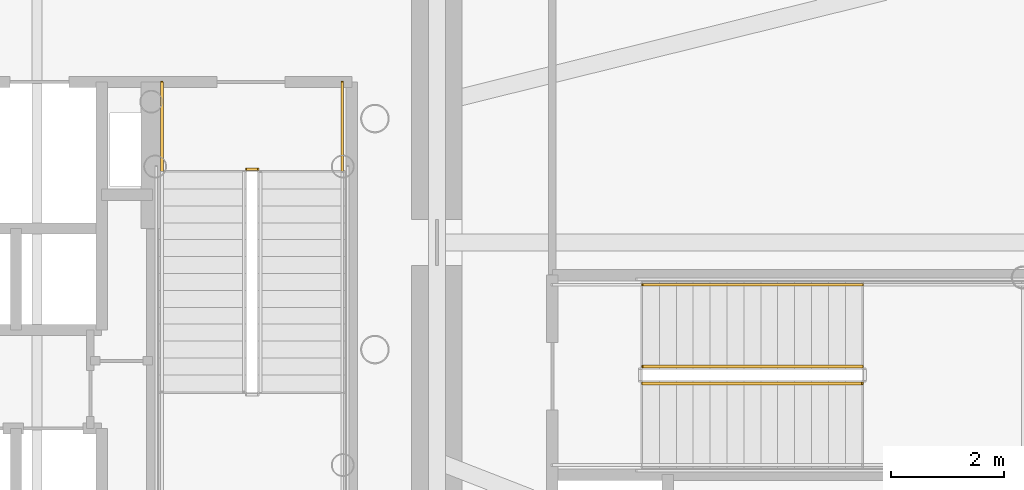
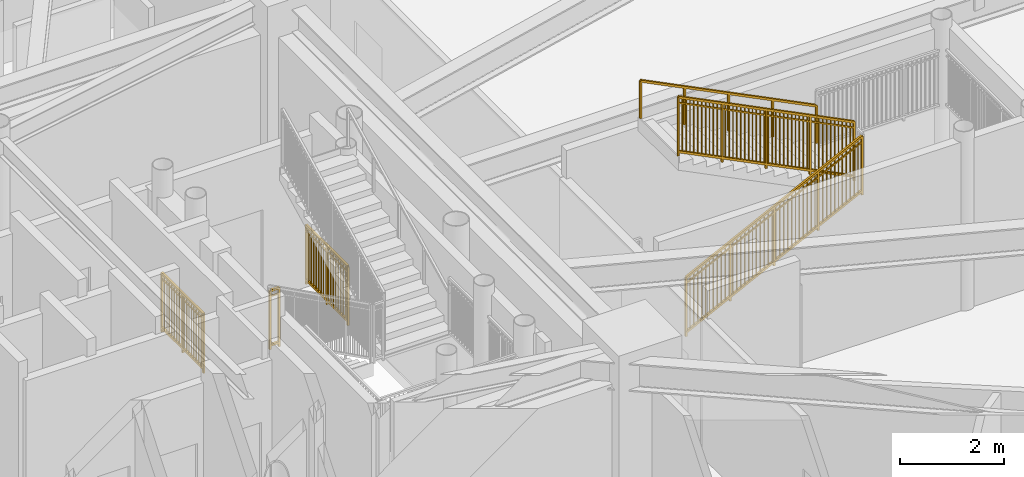
# One storey, part 33 of 35: 6 railings.
"""IFC4 building model written with IfcOpenShell, lengths in metres."""

from ifc_helpers import new_model, si_unit, direction, frame, origin, origin_2d, place, context, subcontext, project, spatial, rectangle, extrude, source, transform, mapped, material, type_object, element, save


model = new_model("IFC4")

# Units and contexts
model_context = context("Model", 3, precision=1e-05, world=origin(), true_north=direction((0.0, 1.0)))
body_context = subcontext(model_context, "Body", "Model", "MODEL_VIEW")
ifc_project = project(units=[si_unit("LENGTHUNIT", "METRE"), si_unit("AREAUNIT", "SQUARE_METRE"), si_unit("VOLUMEUNIT", "CUBIC_METRE"), si_unit("PLANEANGLEUNIT", "RADIAN"), si_unit("MASSUNIT", "GRAM", prefix="KILO")], contexts=[model_context])

# Site, building, storey
site_placement = place(None, origin())
site = spatial("IfcSite", under=ifc_project, at=site_placement, CompositionType="ELEMENT")
building_placement = place(site_placement, origin())
building = spatial("IfcBuilding", under=site, at=building_placement, Name="Linh Dai School and Residence Tower", CompositionType="ELEMENT")
storey_placement = place(building_placement, frame((0.0, 0.0, 32.39990234375)))
storey = spatial("IfcBuildingStorey", under=building, at=storey_placement, Name="L07", CompositionType="ELEMENT", Elevation=32.39990234375)

# Railings
ifc_material_1 = material(Name="Structural Steel S355JR", Category="steel")
railing_type_1 = type_object("IfcRailingType", Name="RL-ST-GUARD-1400", PredefinedType="GUARDRAIL", material=ifc_material_1)
shared_shape_1 = source(origin(), body_context, "Body", "SweptSolid", [
    extrude(rectangle(XDim=0.048095703125, YDim=0.048095703125, at=origin_2d()), frame((0.0, 0.0, 1.3759765625), z_axis=(1.0, 0.0, 0.0), x_axis=(0.0, 1.0, 0.0)), (0.0, 0.0, 1.0), 0.199951171875),
    extrude(rectangle(XDim=0.048095703125, YDim=0.048095703125, at=origin_2d()), frame((0.0, 0.0, 0.10009765625), z_axis=(1.0, 0.0, 0.0), x_axis=(0.0, 1.0, 0.0)), (0.0, 0.0, 1.0), 0.199951171875),
    extrude(rectangle(XDim=0.030029296875, YDim=0.030029296875, at=origin_2d()), frame((0.0, 0.0, 1.239990234375), z_axis=(1.0, 0.0, 0.0), x_axis=(0.0, 1.0, 0.0)), (0.0, 0.0, 1.0), 0.199951171875),
    extrude(rectangle(XDim=0.0419921875, YDim=0.0419921875, at=origin_2d()), origin(), (0.0, 0.0, 1.0), 1.3759765625),
    extrude(rectangle(XDim=0.0419921875, YDim=0.0419921875, at=origin_2d()), frame((0.199951171875, 0.0, 0.0)), (0.0, 0.0, 1.0), 1.3759765625),
])
railing_1_placement = place(storey_placement, frame((42.570068359375, 28.300048828125, 0.0)))
element("IfcRailing", 1, at=railing_1_placement, inside=storey, type_object=railing_type_1, Name="L07 ST2 stair guard 7", PredefinedType="GUARDRAIL", context=body_context, shape_type="MappedRepresentation", body=[
    mapped(shared_shape_1, transform((0.0, 0.0, 0.0), x_axis=(1.0, 0.0, 0.0), y_axis=(0.0, 1.0, 0.0), z_axis=(0.0, 0.0, 1.0), scale=1.0)),
])
shared_shape_2 = source(origin(), body_context, "Body", "SweptSolid", [
    extrude(rectangle(XDim=0.048095703125, YDim=0.048095703125, at=origin_2d()), frame((0.0, 0.0, 1.3759765625), z_axis=(0.0, -1.0, 0.0), x_axis=(1.0, 0.0, 0.0)), (0.0, 0.0, 1.0), 1.60009765625),
    extrude(rectangle(XDim=0.048095703125, YDim=0.048095703125, at=origin_2d()), frame((0.0, 0.0, 0.10009765625), z_axis=(0.0, -1.0, 0.0), x_axis=(1.0, 0.0, 0.0)), (0.0, 0.0, 1.0), 1.60009765625),
    extrude(rectangle(XDim=0.030029296875, YDim=0.030029296875, at=origin_2d()), frame((0.0, 0.0, 1.239990234375), z_axis=(0.0, -1.0, 0.0), x_axis=(1.0, 0.0, 0.0)), (0.0, 0.0, 1.0), 1.60009765625),
    extrude(rectangle(XDim=0.02001953125, YDim=0.02001953125, at=origin_2d()), frame((0.0, -0.09423828125, 0.10009765625)), (0.0, 0.0, 1.0), 1.251708984375),
    extrude(rectangle(XDim=0.02001953125, YDim=0.02001953125, at=origin_2d()), frame((0.0, -0.188232421875, 0.10009765625)), (0.0, 0.0, 1.0), 1.251708984375),
    extrude(rectangle(XDim=0.02001953125, YDim=0.02001953125, at=origin_2d()), frame((0.0, -0.282470703125, 0.10009765625)), (0.0, 0.0, 1.0), 1.251708984375),
    extrude(rectangle(XDim=0.02001953125, YDim=0.02001953125, at=origin_2d()), frame((0.0, -0.37646484375, 0.10009765625)), (0.0, 0.0, 1.0), 1.251708984375),
    extrude(rectangle(XDim=0.02001953125, YDim=0.02001953125, at=origin_2d()), frame((0.0, -0.470703125, 0.10009765625)), (0.0, 0.0, 1.0), 1.251708984375),
    extrude(rectangle(XDim=0.02001953125, YDim=0.02001953125, at=origin_2d()), frame((0.0, -0.564697265625, 0.10009765625)), (0.0, 0.0, 1.0), 1.251708984375),
    extrude(rectangle(XDim=0.02001953125, YDim=0.02001953125, at=origin_2d()), frame((0.0, -0.658935546875, 0.10009765625)), (0.0, 0.0, 1.0), 1.251708984375),
    extrude(rectangle(XDim=0.02001953125, YDim=0.02001953125, at=origin_2d()), frame((0.0, -0.7529296875, 0.10009765625)), (0.0, 0.0, 1.0), 1.251708984375),
    extrude(rectangle(XDim=0.02001953125, YDim=0.02001953125, at=origin_2d()), frame((0.0, -0.84716796875, 0.10009765625)), (0.0, 0.0, 1.0), 1.251708984375),
    extrude(rectangle(XDim=0.02001953125, YDim=0.02001953125, at=origin_2d()), frame((0.0, -0.941162109375, 0.10009765625)), (0.0, 0.0, 1.0), 1.251708984375),
    extrude(rectangle(XDim=0.02001953125, YDim=0.02001953125, at=origin_2d()), frame((0.0, -1.035400390625, 0.10009765625)), (0.0, 0.0, 1.0), 1.251708984375),
    extrude(rectangle(XDim=0.02001953125, YDim=0.02001953125, at=origin_2d()), frame((0.0, -1.12939453125, 0.10009765625)), (0.0, 0.0, 1.0), 1.251708984375),
    extrude(rectangle(XDim=0.02001953125, YDim=0.02001953125, at=origin_2d()), frame((0.0, -1.2236328125, 0.10009765625)), (0.0, 0.0, 1.0), 1.251708984375),
    extrude(rectangle(XDim=0.02001953125, YDim=0.02001953125, at=origin_2d()), frame((0.0, -1.317626953125, 0.10009765625)), (0.0, 0.0, 1.0), 1.251708984375),
    extrude(rectangle(XDim=0.02001953125, YDim=0.02001953125, at=origin_2d()), frame((0.0, -1.411865234375, 0.10009765625)), (0.0, 0.0, 1.0), 1.251708984375),
    extrude(rectangle(XDim=0.02001953125, YDim=0.02001953125, at=origin_2d()), frame((0.0, -1.505859375, 0.10009765625)), (0.0, 0.0, 1.0), 1.251708984375),
    extrude(rectangle(XDim=0.0419921875, YDim=0.0419921875, at=origin_2d()), origin(), (0.0, 0.0, 1.0), 1.3759765625),
    extrude(rectangle(XDim=0.0419921875, YDim=0.0419921875, at=origin_2d()), frame((0.0, -0.800048828125, 0.0)), (0.0, 0.0, 1.0), 1.3759765625),
    extrude(rectangle(XDim=0.0419921875, YDim=0.0419921875, at=origin_2d()), frame((0.0, -1.60009765625, 0.0)), (0.0, 0.0, 1.0), 1.3759765625),
])
for number, where, name in (
    (2, (41.070068359375, 29.85009765625, 0.0), "L07 ST2 stair guard 8"),
    (3, (44.27001953125, 29.85009765625, 0.0), "L07 ST2 stair guard 9"),
):
    element("IfcRailing", number, at=place(storey_placement, frame(where)), inside=storey, type_object=railing_type_1, Name=name, PredefinedType="GUARDRAIL", context=body_context, shape_type="MappedRepresentation", body=[
        mapped(shared_shape_2, transform((0.0, 0.0, 0.0), x_axis=(1.0, 0.0, 0.0), y_axis=(0.0, 1.0, 0.0), z_axis=(0.0, 0.0, 1.0), scale=1.0)),
    ])
shared_shape_3 = source(origin(), body_context, "Body", "SweptSolid", [
    extrude(rectangle(XDim=0.048095703125, YDim=0.048095703125, at=origin_2d()), frame((0.0, 0.0, 1.3759765625), z_axis=(-0.894404793364, 0.0, 0.447258387967), x_axis=(0.0, -1.0, 0.0)), (0.0, 0.0, 1.0), 4.3603515625),
    extrude(rectangle(XDim=0.048095703125, YDim=0.048095703125, at=origin_2d()), frame((0.0, 0.0, 0.10009765625), z_axis=(-0.894404793364, 0.0, 0.447258387967), x_axis=(0.0, -1.0, 0.0)), (0.0, 0.0, 1.0), 4.3603515625),
    extrude(rectangle(XDim=0.030029296875, YDim=0.030029296875, at=origin_2d()), frame((0.0, 0.0, 1.239990234375), z_axis=(-0.894404793364, 0.0, 0.447258387967), x_axis=(0.0, -1.0, 0.0)), (0.0, 0.0, 1.0), 4.3603515625),
    extrude(rectangle(XDim=0.02001953125, YDim=0.02001953125, at=origin_2d()), frame((-0.086669921875, 0.0, 0.1435546875)), (0.0, 0.0, 1.0), 1.251708984375),
    extrude(rectangle(XDim=0.02001953125, YDim=0.02001953125, at=origin_2d()), frame((-0.17333984375, 0.0, 0.186767578125)), (0.0, 0.0, 1.0), 1.251708984375),
    extrude(rectangle(XDim=0.02001953125, YDim=0.02001953125, at=origin_2d()), frame((-0.260009765625, 0.0, 0.230224609375)), (0.0, 0.0, 1.0), 1.251708984375),
    extrude(rectangle(XDim=0.02001953125, YDim=0.02001953125, at=origin_2d()), frame((-0.3466796875, 0.0, 0.2734375)), (0.0, 0.0, 1.0), 1.251708984375),
    extrude(rectangle(XDim=0.02001953125, YDim=0.02001953125, at=origin_2d()), frame((-0.433349609375, 0.0, 0.31689453125)), (0.0, 0.0, 1.0), 1.251708984375),
    extrude(rectangle(XDim=0.02001953125, YDim=0.02001953125, at=origin_2d()), frame((-0.52001953125, 0.0, 0.360107421875)), (0.0, 0.0, 1.0), 1.251708984375),
    extrude(rectangle(XDim=0.02001953125, YDim=0.02001953125, at=origin_2d()), frame((-0.606689453125, 0.0, 0.403564453125)), (0.0, 0.0, 1.0), 1.251708984375),
    extrude(rectangle(XDim=0.02001953125, YDim=0.02001953125, at=origin_2d()), frame((-0.693359375, 0.0, 0.44677734375)), (0.0, 0.0, 1.0), 1.251708984375),
    extrude(rectangle(XDim=0.02001953125, YDim=0.02001953125, at=origin_2d()), frame((-0.780029296875, 0.0, 0.490234375)), (0.0, 0.0, 1.0), 1.251708984375),
    extrude(rectangle(XDim=0.02001953125, YDim=0.02001953125, at=origin_2d()), frame((-0.86669921875, 0.0, 0.533447265625)), (0.0, 0.0, 1.0), 1.251708984375),
    extrude(rectangle(XDim=0.02001953125, YDim=0.02001953125, at=origin_2d()), frame((-1.0400390625, 0.0, 0.6201171875)), (0.0, 0.0, 1.0), 1.251708984375),
    extrude(rectangle(XDim=0.02001953125, YDim=0.02001953125, at=origin_2d()), frame((-1.126708984375, 0.0, 0.66357421875)), (0.0, 0.0, 1.0), 1.251708984375),
    extrude(rectangle(XDim=0.02001953125, YDim=0.02001953125, at=origin_2d()), frame((-1.21337890625, 0.0, 0.706787109375)), (0.0, 0.0, 1.0), 1.251708984375),
    extrude(rectangle(XDim=0.02001953125, YDim=0.02001953125, at=origin_2d()), frame((-1.300048828125, 0.0, 0.750244140625)), (0.0, 0.0, 1.0), 1.251708984375),
    extrude(rectangle(XDim=0.02001953125, YDim=0.02001953125, at=origin_2d()), frame((-1.38671875, 0.0, 0.79345703125)), (0.0, 0.0, 1.0), 1.251708984375),
    extrude(rectangle(XDim=0.02001953125, YDim=0.02001953125, at=origin_2d()), frame((-1.473388671875, 0.0, 0.8369140625)), (0.0, 0.0, 1.0), 1.251708984375),
    extrude(rectangle(XDim=0.02001953125, YDim=0.02001953125, at=origin_2d()), frame((-1.56005859375, 0.0, 0.880126953125)), (0.0, 0.0, 1.0), 1.251708984375),
    extrude(rectangle(XDim=0.02001953125, YDim=0.02001953125, at=origin_2d()), frame((-1.646728515625, 0.0, 0.923583984375)), (0.0, 0.0, 1.0), 1.251708984375),
    extrude(rectangle(XDim=0.02001953125, YDim=0.02001953125, at=origin_2d()), frame((-1.7333984375, 0.0, 0.966796875)), (0.0, 0.0, 1.0), 1.251708984375),
    extrude(rectangle(XDim=0.02001953125, YDim=0.02001953125, at=origin_2d()), frame((-1.820068359375, 0.0, 1.01025390625)), (0.0, 0.0, 1.0), 1.251708984375),
    extrude(rectangle(XDim=0.02001953125, YDim=0.02001953125, at=origin_2d()), frame((-1.90673828125, 0.0, 1.053466796875)), (0.0, 0.0, 1.0), 1.251708984375),
    extrude(rectangle(XDim=0.02001953125, YDim=0.02001953125, at=origin_2d()), frame((-1.9931640625, 0.0, 1.096923828125)), (0.0, 0.0, 1.0), 1.251708984375),
    extrude(rectangle(XDim=0.02001953125, YDim=0.02001953125, at=origin_2d()), frame((-2.079833984375, 0.0, 1.14013671875)), (0.0, 0.0, 1.0), 1.251708984375),
    extrude(rectangle(XDim=0.02001953125, YDim=0.02001953125, at=origin_2d()), frame((-2.16650390625, 0.0, 1.18359375)), (0.0, 0.0, 1.0), 1.251708984375),
    extrude(rectangle(XDim=0.02001953125, YDim=0.02001953125, at=origin_2d()), frame((-2.253173828125, 0.0, 1.226806640625)), (0.0, 0.0, 1.0), 1.251708984375),
    extrude(rectangle(XDim=0.02001953125, YDim=0.02001953125, at=origin_2d()), frame((-2.33984375, 0.0, 1.270263671875)), (0.0, 0.0, 1.0), 1.251708984375),
    extrude(rectangle(XDim=0.02001953125, YDim=0.02001953125, at=origin_2d()), frame((-2.426513671875, 0.0, 1.3134765625)), (0.0, 0.0, 1.0), 1.251708984375),
    extrude(rectangle(XDim=0.02001953125, YDim=0.02001953125, at=origin_2d()), frame((-2.51318359375, 0.0, 1.35693359375)), (0.0, 0.0, 1.0), 1.251708984375),
    extrude(rectangle(XDim=0.02001953125, YDim=0.02001953125, at=origin_2d()), frame((-2.599853515625, 0.0, 1.400146484375)), (0.0, 0.0, 1.0), 1.251708984375),
    extrude(rectangle(XDim=0.02001953125, YDim=0.02001953125, at=origin_2d()), frame((-2.6865234375, 0.0, 1.443603515625)), (0.0, 0.0, 1.0), 1.251708984375),
    extrude(rectangle(XDim=0.02001953125, YDim=0.02001953125, at=origin_2d()), frame((-2.773193359375, 0.0, 1.48681640625)), (0.0, 0.0, 1.0), 1.251708984375),
    extrude(rectangle(XDim=0.02001953125, YDim=0.02001953125, at=origin_2d()), frame((-2.85986328125, 0.0, 1.5302734375)), (0.0, 0.0, 1.0), 1.251708984375),
    extrude(rectangle(XDim=0.02001953125, YDim=0.02001953125, at=origin_2d()), frame((-3.033203125, 0.0, 1.616943359375)), (0.0, 0.0, 1.0), 1.251708984375),
    extrude(rectangle(XDim=0.02001953125, YDim=0.02001953125, at=origin_2d()), frame((-3.119873046875, 0.0, 1.66015625)), (0.0, 0.0, 1.0), 1.251708984375),
    extrude(rectangle(XDim=0.02001953125, YDim=0.02001953125, at=origin_2d()), frame((-3.20654296875, 0.0, 1.70361328125)), (0.0, 0.0, 1.0), 1.251708984375),
    extrude(rectangle(XDim=0.02001953125, YDim=0.02001953125, at=origin_2d()), frame((-3.293212890625, 0.0, 1.746826171875)), (0.0, 0.0, 1.0), 1.251708984375),
    extrude(rectangle(XDim=0.02001953125, YDim=0.02001953125, at=origin_2d()), frame((-3.3798828125, 0.0, 1.790283203125)), (0.0, 0.0, 1.0), 1.251708984375),
    extrude(rectangle(XDim=0.02001953125, YDim=0.02001953125, at=origin_2d()), frame((-3.466552734375, 0.0, 1.83349609375)), (0.0, 0.0, 1.0), 1.251708984375),
    extrude(rectangle(XDim=0.02001953125, YDim=0.02001953125, at=origin_2d()), frame((-3.55322265625, 0.0, 1.876953125)), (0.0, 0.0, 1.0), 1.251708984375),
    extrude(rectangle(XDim=0.02001953125, YDim=0.02001953125, at=origin_2d()), frame((-3.639892578125, 0.0, 1.920166015625)), (0.0, 0.0, 1.0), 1.251708984375),
    extrude(rectangle(XDim=0.02001953125, YDim=0.02001953125, at=origin_2d()), frame((-3.7265625, 0.0, 1.963623046875)), (0.0, 0.0, 1.0), 1.251708984375),
    extrude(rectangle(XDim=0.02001953125, YDim=0.02001953125, at=origin_2d()), frame((-3.813232421875, 0.0, 2.0068359375)), (0.0, 0.0, 1.0), 1.251708984375),
    extrude(rectangle(XDim=0.0419921875, YDim=0.0419921875, at=origin_2d()), origin(), (0.0, 0.0, 1.0), 1.3759765625),
    extrude(rectangle(XDim=0.0419921875, YDim=0.0419921875, at=origin_2d()), frame((-0.97509765625, 0.0, 0.487548828125)), (0.0, 0.0, 1.0), 1.3759765625),
    extrude(rectangle(XDim=0.0419921875, YDim=0.0419921875, at=origin_2d()), frame((-1.949951171875, 0.0, 0.97509765625)), (0.0, 0.0, 1.0), 1.3759765625),
    extrude(rectangle(XDim=0.0419921875, YDim=0.0419921875, at=origin_2d()), frame((-2.9248046875, 0.0, 1.462646484375)), (0.0, 0.0, 1.0), 1.3759765625),
    extrude(rectangle(XDim=0.0419921875, YDim=0.0419921875, at=origin_2d()), frame((-3.89990234375, 0.0, 1.9501953125)), (0.0, 0.0, 1.0), 1.3759765625),
])
railing_2_placement = place(storey_placement, frame((53.5, 24.800048828125, 2.25)))
element("IfcRailing", 4, at=railing_2_placement, inside=storey, type_object=railing_type_1, Name="L07 STS2 stair guard 6", PredefinedType="GUARDRAIL", context=body_context, shape_type="MappedRepresentation", body=[
    mapped(shared_shape_3, transform((0.0, 0.0, 0.0), x_axis=(1.0, 0.0, 0.0), y_axis=(0.0, 1.0, 0.0), z_axis=(0.0, 0.0, 1.0), scale=1.0)),
])
shared_shape_4 = source(origin(), body_context, "Body", "SweptSolid", [
    extrude(rectangle(XDim=0.048095703125, YDim=0.048095703125, at=origin_2d()), frame((0.0, 0.0, 1.3759765625), z_axis=(0.894427191, 0.0, 0.4472135955), x_axis=(0.0, 1.0, 0.0)), (0.0, 0.0, 1.0), 4.360107421875),
    extrude(rectangle(XDim=0.048095703125, YDim=0.048095703125, at=origin_2d()), frame((0.0, 0.0, 0.10009765625), z_axis=(0.894427191, 0.0, 0.4472135955), x_axis=(0.0, 1.0, 0.0)), (0.0, 0.0, 1.0), 4.360107421875),
    extrude(rectangle(XDim=0.030029296875, YDim=0.030029296875, at=origin_2d()), frame((0.0, 0.0, 1.239990234375), z_axis=(0.894427191, 0.0, 0.4472135955), x_axis=(0.0, 1.0, 0.0)), (0.0, 0.0, 1.0), 4.360107421875),
    extrude(rectangle(XDim=0.02001953125, YDim=0.02001953125, at=origin_2d()), frame((0.086669921875, 0.0, 0.143310546875)), (0.0, 0.0, 1.0), 1.251708984375),
    extrude(rectangle(XDim=0.02001953125, YDim=0.02001953125, at=origin_2d()), frame((0.17333984375, 0.0, 0.186767578125)), (0.0, 0.0, 1.0), 1.251708984375),
    extrude(rectangle(XDim=0.02001953125, YDim=0.02001953125, at=origin_2d()), frame((0.260009765625, 0.0, 0.22998046875)), (0.0, 0.0, 1.0), 1.251708984375),
    extrude(rectangle(XDim=0.02001953125, YDim=0.02001953125, at=origin_2d()), frame((0.3466796875, 0.0, 0.2734375)), (0.0, 0.0, 1.0), 1.251708984375),
    extrude(rectangle(XDim=0.02001953125, YDim=0.02001953125, at=origin_2d()), frame((0.433349609375, 0.0, 0.316650390625)), (0.0, 0.0, 1.0), 1.251708984375),
    extrude(rectangle(XDim=0.02001953125, YDim=0.02001953125, at=origin_2d()), frame((0.52001953125, 0.0, 0.360107421875)), (0.0, 0.0, 1.0), 1.251708984375),
    extrude(rectangle(XDim=0.02001953125, YDim=0.02001953125, at=origin_2d()), frame((0.606689453125, 0.0, 0.4033203125)), (0.0, 0.0, 1.0), 1.251708984375),
    extrude(rectangle(XDim=0.02001953125, YDim=0.02001953125, at=origin_2d()), frame((0.693359375, 0.0, 0.44677734375)), (0.0, 0.0, 1.0), 1.251708984375),
    extrude(rectangle(XDim=0.02001953125, YDim=0.02001953125, at=origin_2d()), frame((0.780029296875, 0.0, 0.489990234375)), (0.0, 0.0, 1.0), 1.251708984375),
    extrude(rectangle(XDim=0.02001953125, YDim=0.02001953125, at=origin_2d()), frame((0.86669921875, 0.0, 0.533447265625)), (0.0, 0.0, 1.0), 1.251708984375),
    extrude(rectangle(XDim=0.02001953125, YDim=0.02001953125, at=origin_2d()), frame((1.0400390625, 0.0, 0.6201171875)), (0.0, 0.0, 1.0), 1.251708984375),
    extrude(rectangle(XDim=0.02001953125, YDim=0.02001953125, at=origin_2d()), frame((1.126708984375, 0.0, 0.663330078125)), (0.0, 0.0, 1.0), 1.251708984375),
    extrude(rectangle(XDim=0.02001953125, YDim=0.02001953125, at=origin_2d()), frame((1.21337890625, 0.0, 0.706787109375)), (0.0, 0.0, 1.0), 1.251708984375),
    extrude(rectangle(XDim=0.02001953125, YDim=0.02001953125, at=origin_2d()), frame((1.300048828125, 0.0, 0.75)), (0.0, 0.0, 1.0), 1.251708984375),
    extrude(rectangle(XDim=0.02001953125, YDim=0.02001953125, at=origin_2d()), frame((1.38671875, 0.0, 0.79345703125)), (0.0, 0.0, 1.0), 1.251708984375),
    extrude(rectangle(XDim=0.02001953125, YDim=0.02001953125, at=origin_2d()), frame((1.473388671875, 0.0, 0.836669921875)), (0.0, 0.0, 1.0), 1.251708984375),
    extrude(rectangle(XDim=0.02001953125, YDim=0.02001953125, at=origin_2d()), frame((1.56005859375, 0.0, 0.880126953125)), (0.0, 0.0, 1.0), 1.251708984375),
    extrude(rectangle(XDim=0.02001953125, YDim=0.02001953125, at=origin_2d()), frame((1.646728515625, 0.0, 0.92333984375)), (0.0, 0.0, 1.0), 1.251708984375),
    extrude(rectangle(XDim=0.02001953125, YDim=0.02001953125, at=origin_2d()), frame((1.7333984375, 0.0, 0.966796875)), (0.0, 0.0, 1.0), 1.251708984375),
    extrude(rectangle(XDim=0.02001953125, YDim=0.02001953125, at=origin_2d()), frame((1.820068359375, 0.0, 1.010009765625)), (0.0, 0.0, 1.0), 1.251708984375),
    extrude(rectangle(XDim=0.02001953125, YDim=0.02001953125, at=origin_2d()), frame((1.90673828125, 0.0, 1.053466796875)), (0.0, 0.0, 1.0), 1.251708984375),
    extrude(rectangle(XDim=0.02001953125, YDim=0.02001953125, at=origin_2d()), frame((1.9931640625, 0.0, 1.0966796875)), (0.0, 0.0, 1.0), 1.251708984375),
    extrude(rectangle(XDim=0.02001953125, YDim=0.02001953125, at=origin_2d()), frame((2.079833984375, 0.0, 1.14013671875)), (0.0, 0.0, 1.0), 1.251708984375),
    extrude(rectangle(XDim=0.02001953125, YDim=0.02001953125, at=origin_2d()), frame((2.16650390625, 0.0, 1.183349609375)), (0.0, 0.0, 1.0), 1.251708984375),
    extrude(rectangle(XDim=0.02001953125, YDim=0.02001953125, at=origin_2d()), frame((2.253173828125, 0.0, 1.226806640625)), (0.0, 0.0, 1.0), 1.251708984375),
    extrude(rectangle(XDim=0.02001953125, YDim=0.02001953125, at=origin_2d()), frame((2.33984375, 0.0, 1.27001953125)), (0.0, 0.0, 1.0), 1.251708984375),
    extrude(rectangle(XDim=0.02001953125, YDim=0.02001953125, at=origin_2d()), frame((2.426513671875, 0.0, 1.3134765625)), (0.0, 0.0, 1.0), 1.251708984375),
    extrude(rectangle(XDim=0.02001953125, YDim=0.02001953125, at=origin_2d()), frame((2.51318359375, 0.0, 1.356689453125)), (0.0, 0.0, 1.0), 1.251708984375),
    extrude(rectangle(XDim=0.02001953125, YDim=0.02001953125, at=origin_2d()), frame((2.599853515625, 0.0, 1.400146484375)), (0.0, 0.0, 1.0), 1.251708984375),
    extrude(rectangle(XDim=0.02001953125, YDim=0.02001953125, at=origin_2d()), frame((2.6865234375, 0.0, 1.443359375)), (0.0, 0.0, 1.0), 1.251708984375),
    extrude(rectangle(XDim=0.02001953125, YDim=0.02001953125, at=origin_2d()), frame((2.773193359375, 0.0, 1.48681640625)), (0.0, 0.0, 1.0), 1.251708984375),
    extrude(rectangle(XDim=0.02001953125, YDim=0.02001953125, at=origin_2d()), frame((2.85986328125, 0.0, 1.530029296875)), (0.0, 0.0, 1.0), 1.251708984375),
    extrude(rectangle(XDim=0.02001953125, YDim=0.02001953125, at=origin_2d()), frame((3.033203125, 0.0, 1.61669921875)), (0.0, 0.0, 1.0), 1.251708984375),
    extrude(rectangle(XDim=0.02001953125, YDim=0.02001953125, at=origin_2d()), frame((3.119873046875, 0.0, 1.66015625)), (0.0, 0.0, 1.0), 1.251708984375),
    extrude(rectangle(XDim=0.02001953125, YDim=0.02001953125, at=origin_2d()), frame((3.20654296875, 0.0, 1.703369140625)), (0.0, 0.0, 1.0), 1.251708984375),
    extrude(rectangle(XDim=0.02001953125, YDim=0.02001953125, at=origin_2d()), frame((3.293212890625, 0.0, 1.746826171875)), (0.0, 0.0, 1.0), 1.251708984375),
    extrude(rectangle(XDim=0.02001953125, YDim=0.02001953125, at=origin_2d()), frame((3.3798828125, 0.0, 1.7900390625)), (0.0, 0.0, 1.0), 1.251708984375),
    extrude(rectangle(XDim=0.02001953125, YDim=0.02001953125, at=origin_2d()), frame((3.466552734375, 0.0, 1.83349609375)), (0.0, 0.0, 1.0), 1.251708984375),
    extrude(rectangle(XDim=0.02001953125, YDim=0.02001953125, at=origin_2d()), frame((3.55322265625, 0.0, 1.876708984375)), (0.0, 0.0, 1.0), 1.251708984375),
    extrude(rectangle(XDim=0.02001953125, YDim=0.02001953125, at=origin_2d()), frame((3.639892578125, 0.0, 1.920166015625)), (0.0, 0.0, 1.0), 1.251708984375),
    extrude(rectangle(XDim=0.02001953125, YDim=0.02001953125, at=origin_2d()), frame((3.7265625, 0.0, 1.96337890625)), (0.0, 0.0, 1.0), 1.251708984375),
    extrude(rectangle(XDim=0.02001953125, YDim=0.02001953125, at=origin_2d()), frame((3.813232421875, 0.0, 2.0068359375)), (0.0, 0.0, 1.0), 1.251708984375),
    extrude(rectangle(XDim=0.0419921875, YDim=0.0419921875, at=origin_2d()), origin(), (0.0, 0.0, 1.0), 1.3759765625),
    extrude(rectangle(XDim=0.0419921875, YDim=0.0419921875, at=origin_2d()), frame((0.97509765625, 0.0, 0.487548828125)), (0.0, 0.0, 1.0), 1.3759765625),
    extrude(rectangle(XDim=0.0419921875, YDim=0.0419921875, at=origin_2d()), frame((1.949951171875, 0.0, 0.97509765625)), (0.0, 0.0, 1.0), 1.3759765625),
    extrude(rectangle(XDim=0.0419921875, YDim=0.0419921875, at=origin_2d()), frame((2.9248046875, 0.0, 1.46240234375)), (0.0, 0.0, 1.0), 1.3759765625),
    extrude(rectangle(XDim=0.0419921875, YDim=0.0419921875, at=origin_2d()), frame((3.89990234375, 0.0, 1.949951171875)), (0.0, 0.0, 1.0), 1.3759765625),
])
railing_3_placement = place(storey_placement, frame((49.60009765625, 24.5, 0.150146484375)))
element("IfcRailing", 5, at=railing_3_placement, inside=storey, type_object=railing_type_1, Name="L07 STS2 stair guard 1", PredefinedType="GUARDRAIL", context=body_context, shape_type="MappedRepresentation", body=[
    mapped(shared_shape_4, transform((0.0, 0.0, 0.0), x_axis=(1.0, 0.0, 0.0), y_axis=(0.0, 1.0, 0.0), z_axis=(0.0, 0.0, 1.0), scale=1.0)),
])
ifc_material_2 = material(Name="Brushed Stainless Steel Handrail", Category="steel")
railing_type_2 = type_object("IfcRailingType", Name="RL-ST-HANDRAIL-900", PredefinedType="HANDRAIL", material=ifc_material_2)
shared_shape_5 = source(origin(), body_context, "Body", "SweptSolid", [
    extrude(rectangle(XDim=0.048095703125, YDim=0.048095703125, at=origin_2d()), frame((0.0, 0.0, 0.8759765625), z_axis=(-0.894404793364, 0.0, 0.447258387967), x_axis=(0.0, -1.0, 0.0)), (0.0, 0.0, 1.0), 4.3603515625),
    extrude(rectangle(XDim=0.0419921875, YDim=0.0419921875, at=origin_2d()), origin(), (0.0, 0.0, 1.0), 0.8759765625),
    extrude(rectangle(XDim=0.0419921875, YDim=0.0419921875, at=origin_2d()), frame((-0.97509765625, 0.0, 0.487548828125)), (0.0, 0.0, 1.0), 0.8759765625),
    extrude(rectangle(XDim=0.0419921875, YDim=0.0419921875, at=origin_2d()), frame((-1.949951171875, 0.0, 0.97509765625)), (0.0, 0.0, 1.0), 0.8759765625),
    extrude(rectangle(XDim=0.0419921875, YDim=0.0419921875, at=origin_2d()), frame((-2.9248046875, 0.0, 1.462646484375)), (0.0, 0.0, 1.0), 0.8759765625),
    extrude(rectangle(XDim=0.0419921875, YDim=0.0419921875, at=origin_2d()), frame((-3.89990234375, 0.0, 1.9501953125)), (0.0, 0.0, 1.0), 0.8759765625),
])
railing_4_placement = place(storey_placement, frame((53.5, 26.25, 2.25)))
element("IfcRailing", 6, at=railing_4_placement, inside=storey, type_object=railing_type_2, Name="L07 STS2 stair handrail 2", PredefinedType="HANDRAIL", context=body_context, shape_type="MappedRepresentation", body=[
    mapped(shared_shape_5, transform((0.0, 0.0, 0.0), x_axis=(1.0, 0.0, 0.0), y_axis=(0.0, 1.0, 0.0), z_axis=(0.0, 0.0, 1.0), scale=1.0)),
])

save(model, "model.ifc")
